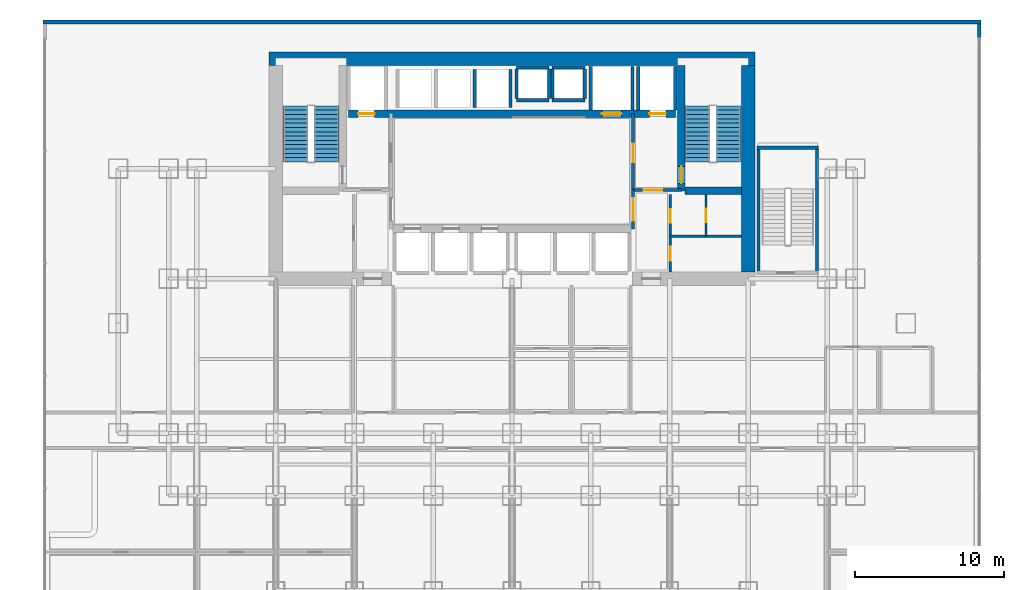
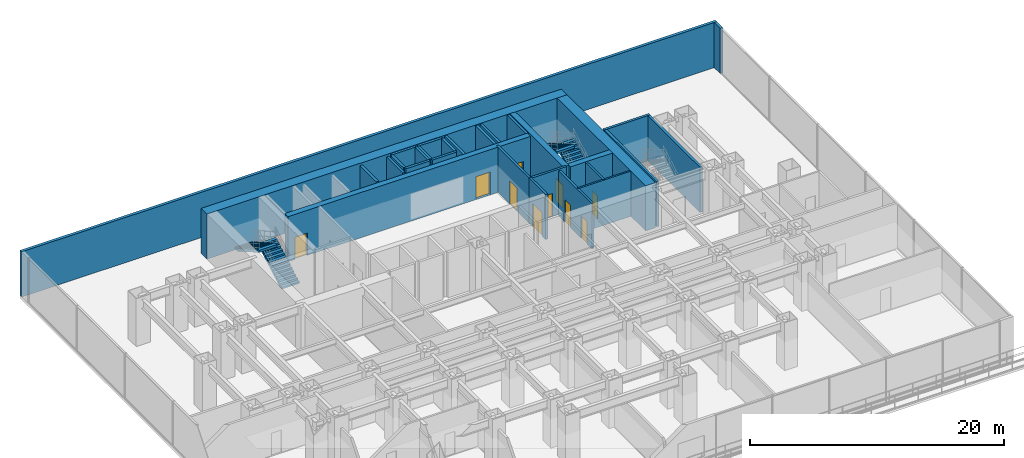
# One storey, part 10 of 13: 30 walls, 10 doors, 4 stair flights, 10 openings, 2 elements without a shape of their own.
"""IFC4 building model written with IfcOpenShell, lengths in metres."""

from ifc_helpers import new_model, si_unit, direction, frame, frame_2d, origin, place, context, subcontext, project, spatial, polyline, rectangle, outline, extrude, material, layer, layer_set, type_object, element, fill, aggregate, save


model = new_model("IFC4")

# Units and contexts
model_context = context("Model", 3, precision=1e-05, world=origin(), true_north=direction((0.0, 1.0)))
body_context = subcontext(model_context, "Body", "Model", "MODEL_VIEW")
ifc_project = project(units=[si_unit("LENGTHUNIT", "METRE"), si_unit("AREAUNIT", "SQUARE_METRE"), si_unit("VOLUMEUNIT", "CUBIC_METRE"), si_unit("PLANEANGLEUNIT", "RADIAN"), si_unit("MASSUNIT", "GRAM", prefix="KILO")], contexts=[model_context])

# Site, building, storey
site_placement = place(None, origin())
site = spatial("IfcSite", under=ifc_project, at=site_placement, CompositionType="ELEMENT")
building_placement = place(site_placement, origin())
building = spatial("IfcBuilding", under=site, at=building_placement, Name="Qianlan Lanfeng Residences", CompositionType="ELEMENT")
storey_placement = place(building_placement, frame((0.0, 0.0, 14.39990234375)))
storey = spatial("IfcBuildingStorey", under=building, at=storey_placement, Name="L03", CompositionType="ELEMENT", Elevation=14.39990234375)

# Wall, opening, door
ifc_material_1 = material(Name="Concrete C70", Category="concrete")
ifc_layer_1 = layer(ifc_material_1, 0.5)
ifc_layer_set_1 = layer_set([ifc_layer_1], Name="Concrete C70")
wall_type_1 = type_object("IfcWallType", Name="CW-RC-500", PredefinedType="SHEAR", material=ifc_layer_set_1)
wall_1_placement = place(storey_placement, frame((37.89990234375, 31.10009765625, 0.0), z_axis=(0.0, 0.0, 1.0), x_axis=(0.0, 1.0, 0.0)))
wall_1 = element("IfcWall", 1, at=wall_1_placement, inside=storey, type_object=wall_type_1, Name="L03 Core Shear Wall ST2W", PredefinedType="SHEAR", context=body_context, shape_type="SweptSolid", body=[
    extrude(rectangle(XDim=8.449951171875, YDim=0.5, at=frame_2d((4.22509765625, 0.0))), origin(), (0.0, 0.0, 1.0), 4.340087890625),
])
opening_1_placement = place(wall_1_placement, frame((0.510009765625, 0.0, 0.0)))
opening_1 = element("IfcOpeningElement", 2, at=opening_1_placement, cuts=wall_1, Name="Opening L03-D08", PredefinedType="OPENING", context=body_context, shape_type="SweptSolid", body=[
    extrude(rectangle(XDim=1.14990234375, YDim=2.199951171875, at=frame_2d((0.574951171875, 1.10009765625))), frame((0.0, 0.260009765625, 0.0), z_axis=(0.0, -1.0, 0.0), x_axis=(1.0, 0.0, 0.0)), (0.0, 0.0, 1.0), 0.52001953125),
])
ifc_material_2 = material(Name="Painted Galvanised Steel Fire Door", Category="steel")
door_type_1 = type_object("IfcDoorType", Name="DT-ST1", OperationType="NOTDEFINED", PredefinedType="DOOR", material=ifc_material_2)
door_1_placement = place(opening_1_placement, origin())
door_1 = element("IfcDoor", 3, at=door_1_placement, inside=storey, type_object=door_type_1, Name="L03 Exit Stair ST-2 Door L03-D08 (DT-ST1)", OperationType="SINGLE_SWING_RIGHT", OverallHeight=2.199951171875, OverallWidth=1.14990234375, PredefinedType="DOOR", context=body_context, shape_type="SweptSolid", body=[
    extrude(rectangle(XDim=1.14990234375, YDim=2.199951171875, at=frame_2d((0.574951171875, 1.10009765625))), frame((0.0, 0.02490234375, 0.0), z_axis=(0.0, -1.0, 0.0), x_axis=(1.0, 0.0, 0.0)), (0.0, 0.0, 1.0), 0.050048828125),
])
fill(opening_1, door_1)

# Wall
wall_2_placement = place(storey_placement, frame((38.14990234375, 31.10009765625, 0.0), z_axis=(0.0, 0.0, 1.0), x_axis=(1.0, 0.0, 0.0)))
element("IfcWall", 4, at=wall_2_placement, inside=storey, type_object=wall_type_1, Name="L03 Core Shear Wall ST2S", PredefinedType="SHEAR", context=body_context, shape_type="SweptSolid", body=[
    extrude(rectangle(XDim=3.800048828125, YDim=0.5, at=frame_2d((1.89990234375, 0.0))), origin(), (0.0, 0.0, 1.0), 4.340087890625),
])

# Wall, openings, doors
wall_3_placement = place(storey_placement, frame((15.5, 36.300048828125, 0.0), z_axis=(0.0, 0.0, 1.0), x_axis=(1.0, 0.0, 0.0)))
wall_3 = element("IfcWall", 5, at=wall_3_placement, inside=storey, type_object=wall_type_1, Name="L03 Core Shear Wall LBN", PredefinedType="SHEAR", context=body_context, shape_type="SweptSolid", body=[
    extrude(rectangle(XDim=22.0, YDim=0.5, at=frame_2d((11.0, 0.0))), origin(), (0.0, 0.0, 1.0), 4.340087890625),
])
opening_2_placement = place(wall_3_placement, frame((0.64990234375, 0.0, 0.0)))
opening_2 = element("IfcOpeningElement", 6, at=opening_2_placement, cuts=wall_3, Name="Opening L03-LD-FFL-1", PredefinedType="OPENING", context=body_context, shape_type="SweptSolid", body=[
    extrude(rectangle(XDim=1.10009765625, YDim=2.14990234375, at=frame_2d((0.550048828125, 1.074951171875))), frame((0.0, 0.260009765625, 0.0), z_axis=(0.0, -1.0, 0.0), x_axis=(1.0, 0.0, 0.0)), (0.0, 0.0, 1.0), 0.52001953125),
])
opening_3_placement = place(wall_3_placement, frame((20.25, 0.0, 0.0)))
opening_3 = element("IfcOpeningElement", 7, at=opening_3_placement, cuts=wall_3, Name="Opening L03-LD-FFL-2", PredefinedType="OPENING", context=body_context, shape_type="SweptSolid", body=[
    extrude(rectangle(XDim=1.10009765625, YDim=2.14990234375, at=frame_2d((0.550048828125, 1.074951171875))), frame((0.0, 0.260009765625, 0.0), z_axis=(0.0, -1.0, 0.0), x_axis=(1.0, 0.0, 0.0)), (0.0, 0.0, 1.0), 0.52001953125),
])
opening_4_placement = place(wall_3_placement, frame((17.050048828125, 0.0, 0.0)))
opening_4 = element("IfcOpeningElement", 8, at=opening_4_placement, cuts=wall_3, Name="Opening L03-LD-SVL-1", PredefinedType="OPENING", context=body_context, shape_type="SweptSolid", body=[
    extrude(rectangle(XDim=1.300048828125, YDim=2.199951171875, at=frame_2d((0.64990234375, 1.10009765625))), frame((0.0, 0.260009765625, 0.0), z_axis=(0.0, -1.0, 0.0), x_axis=(1.0, 0.0, 0.0)), (0.0, 0.0, 1.0), 0.52001953125),
])
ifc_material_3 = material(Name="Brushed Stainless Steel Sliding Lift Door", Category="steel")
door_type_2 = type_object("IfcDoorType", Name="LD-01", OperationType="NOTDEFINED", PredefinedType="DOOR", material=ifc_material_3)
door_2_placement = place(opening_2_placement, frame((1.10009765625, 0.0, 0.0), z_axis=(0.0, 0.0, 1.0), x_axis=(-1.0, 0.0, 0.0)))
door_2 = element("IfcDoor", 9, at=door_2_placement, inside=storey, type_object=door_type_2, Name="L03 Elevator FFL-1 Sliding Landing Door", OperationType="DOUBLE_DOOR_SLIDING", OverallHeight=2.14990234375, OverallWidth=1.10009765625, PredefinedType="DOOR", context=body_context, shape_type="SweptSolid", body=[
    extrude(rectangle(XDim=1.10009765625, YDim=2.14990234375, at=frame_2d((0.550048828125, 1.074951171875))), frame((0.0, 0.02490234375, 0.0), z_axis=(0.0, -1.0, 0.0), x_axis=(1.0, 0.0, 0.0)), (0.0, 0.0, 1.0), 0.050048828125),
])
fill(opening_2, door_2)
door_3_placement = place(opening_3_placement, frame((1.10009765625, 0.0, 0.0), z_axis=(0.0, 0.0, 1.0), x_axis=(-1.0, 0.0, 0.0)))
door_3 = element("IfcDoor", 10, at=door_3_placement, inside=storey, type_object=door_type_2, Name="L03 Elevator FFL-2 Sliding Landing Door", OperationType="DOUBLE_DOOR_SLIDING", OverallHeight=2.14990234375, OverallWidth=1.10009765625, PredefinedType="DOOR", context=body_context, shape_type="SweptSolid", body=[
    extrude(rectangle(XDim=1.10009765625, YDim=2.14990234375, at=frame_2d((0.550048828125, 1.074951171875))), frame((0.0, 0.02490234375, 0.0), z_axis=(0.0, -1.0, 0.0), x_axis=(1.0, 0.0, 0.0)), (0.0, 0.0, 1.0), 0.050048828125),
])
fill(opening_3, door_3)
door_type_3 = type_object("IfcDoorType", Name="LD-02", OperationType="NOTDEFINED", PredefinedType="DOOR", material=ifc_material_3)
door_4_placement = place(opening_4_placement, frame((1.300048828125, 0.0, 0.0), z_axis=(0.0, 0.0, 1.0), x_axis=(-1.0, 0.0, 0.0)))
door_4 = element("IfcDoor", 11, at=door_4_placement, inside=storey, type_object=door_type_3, Name="L03 Elevator SVL-1 Sliding Landing Door", OperationType="DOUBLE_DOOR_SLIDING", OverallHeight=2.199951171875, OverallWidth=1.300048828125, PredefinedType="DOOR", context=body_context, shape_type="SweptSolid", body=[
    extrude(rectangle(XDim=1.300048828125, YDim=2.199951171875, at=frame_2d((0.64990234375, 1.10009765625))), frame((0.0, 0.02490234375, 0.0), z_axis=(0.0, -1.0, 0.0), x_axis=(1.0, 0.0, 0.0)), (0.0, 0.0, 1.0), 0.050048828125),
])
fill(opening_4, door_4)

# Walls
ifc_layer_2 = layer(ifc_material_1, 0.89990234375)
ifc_layer_set_2 = layer_set([ifc_layer_2], Name="Concrete C70")
wall_type_2 = type_object("IfcWallType", Name="CW-RC-900", PredefinedType="SHEAR", material=ifc_layer_set_2)
wall_4_placement = place(storey_placement, frame((10.14990234375, 40.0, 0.0), z_axis=(0.0, 0.0, 1.0), x_axis=(1.0, 0.0, 0.0)))
element("IfcWall", 12, at=wall_4_placement, inside=storey, type_object=wall_type_2, Name="L03 Core Shear Wall N", PredefinedType="SHEAR", context=body_context, shape_type="SweptSolid", body=[
    extrude(rectangle(XDim=32.7001953125, YDim=0.89990234375, at=frame_2d((16.35009765625, 0.0))), origin(), (0.0, 0.0, 1.0), 4.340087890625),
])
wall_5_placement = place(storey_placement, frame((42.39990234375, 25.64990234375, 0.0), z_axis=(0.0, 0.0, 1.0), x_axis=(0.0, 1.0, 0.0)))
element("IfcWall", 13, at=wall_5_placement, inside=storey, type_object=wall_type_2, Name="L03 Core Shear Wall E", PredefinedType="SHEAR", context=body_context, shape_type="SweptSolid", body=[
    extrude(rectangle(XDim=13.900146484375, YDim=0.89990234375, at=frame_2d((6.9501953125, 0.0))), origin(), (0.0, 0.0, 1.0), 4.340087890625),
])
ifc_material_4 = material(Name="Concrete C42", Category="concrete")
ifc_layer_3 = layer(ifc_material_4, 0.239990234375)
ifc_layer_set_3 = layer_set([ifc_layer_3], Name="Concrete C42")
wall_type_3 = type_object("IfcWallType", Name="EW-240", PredefinedType="SOLIDWALL", material=ifc_layer_set_3)
wall_6_placement = place(storey_placement, frame((57.929931640625, 41.39990234375, 0.0), z_axis=(0.0, 0.0, 1.0), x_axis=(0.0, 1.0, 0.0)))
element("IfcWall", 14, at=wall_6_placement, inside=storey, type_object=wall_type_3, Name="L03 NE Corner Pier", PredefinedType="SOLIDWALL", context=body_context, shape_type="SweptSolid", body=[
    extrude(rectangle(XDim=0.940185546875, YDim=0.239990234375, at=frame_2d((0.47021484375, 0.0))), origin(), (0.0, 0.0, 1.0), 4.340087890625),
])
ifc_layer_4 = layer(ifc_material_4, 0.260009765625)
ifc_layer_set_4 = layer_set([ifc_layer_4], Name="Concrete C42")
wall_type_4 = type_object("IfcWallType", Name="EW-260", PredefinedType="SOLIDWALL", material=ifc_layer_set_4)
wall_7_placement = place(storey_placement, frame((58.050048828125, 42.469970703125, 0.0), z_axis=(0.0, 0.0, 1.0), x_axis=(-1.0, 0.0, 0.0)))
element("IfcWall", 15, at=wall_7_placement, inside=storey, type_object=wall_type_4, Name="L03 North Exterior Wall", PredefinedType="SOLIDWALL", context=body_context, shape_type="SweptSolid", body=[
    extrude(rectangle(XDim=63.10009765625, YDim=0.260009765625, at=frame_2d((31.550048828125, 0.0))), origin(), (0.0, 0.0, 1.0), 4.340087890625),
])
ifc_material_5 = material(Name="Acoustic Drywall Partition 150 mm")
ifc_layer_5 = layer(ifc_material_5, 0.14990234375)
ifc_layer_set_5 = layer_set([ifc_layer_5], Name="Acoustic Drywall Partition 150 mm")
wall_type_5 = type_object("IfcWallType", Name="PW-150", PredefinedType="PARTITIONING", material=ifc_layer_set_5)
wall_8_placement = place(storey_placement, frame((37.14990234375, 28.050048828125, 0.0), z_axis=(0.0, 0.0, 1.0), x_axis=(1.0, 0.0, 0.0)))
element("IfcWall", 16, at=wall_8_placement, inside=storey, type_object=wall_type_5, Name="L03 Core East H Split", PredefinedType="PARTITIONING", context=body_context, shape_type="SweptSolid", body=[
    extrude(rectangle(XDim=4.800048828125, YDim=0.14990234375, at=frame_2d((2.39990234375, 0.0))), origin(), (0.0, 0.0, 1.0), 4.340087890625),
])

# Wall, opening, door
wall_9_placement = place(storey_placement, frame((39.550048828125, 28.050048828125, 0.0), z_axis=(0.0, 0.0, 1.0), x_axis=(0.0, 1.0, 0.0)))
wall_9 = element("IfcWall", 17, at=wall_9_placement, inside=storey, type_object=wall_type_5, Name="L03 Core East V Split", PredefinedType="PARTITIONING", context=body_context, shape_type="SweptSolid", body=[
    extrude(rectangle(XDim=2.800048828125, YDim=0.14990234375, at=frame_2d((1.39990234375, 0.0))), origin(), (0.0, 0.0, 1.0), 4.340087890625),
])
opening_5_placement = place(wall_9_placement, frame((0.93994140625, 0.0, 0.0)))
opening_5 = element("IfcOpeningElement", 18, at=opening_5_placement, cuts=wall_9, Name="Opening L03-D12", PredefinedType="OPENING", context=body_context, shape_type="SweptSolid", body=[
    extrude(rectangle(XDim=0.919921875, YDim=2.14990234375, at=frame_2d((0.4599609375, 1.074951171875))), frame((0.0, 0.0849609375, 0.0), z_axis=(0.0, -1.0, 0.0), x_axis=(1.0, 0.0, 0.0)), (0.0, 0.0, 1.0), 0.169921875),
])
ifc_material_6 = material(Name="Glazed Timber Kitchen/Study Door", Category="wood")
door_type_4 = type_object("IfcDoorType", Name="DT-INT", OperationType="NOTDEFINED", PredefinedType="DOOR", material=ifc_material_6)
door_5_placement = place(opening_5_placement, origin())
door_5 = element("IfcDoor", 19, at=door_5_placement, inside=storey, type_object=door_type_4, Name="L03 Inner Supply Closet Door L03-D12 (DT-INT)", OperationType="SINGLE_SWING_RIGHT", OverallHeight=2.14990234375, OverallWidth=0.919921875, PredefinedType="DOOR", context=body_context, shape_type="SweptSolid", body=[
    extrude(rectangle(XDim=0.919921875, YDim=2.14990234375, at=frame_2d((0.4599609375, 1.074951171875))), frame((0.0, 0.02490234375, 0.0), z_axis=(0.0, -1.0, 0.0), x_axis=(1.0, 0.0, 0.0)), (0.0, 0.0, 1.0), 0.050048828125),
])
fill(opening_5, door_5)

# Wall, openings, doors
ifc_material_7 = material(Name="Double-Layer Acoustic Gypsum Stud Wall 180 mm")
ifc_layer_6 = layer(ifc_material_7, 0.179931640625)
ifc_layer_set_6 = layer_set([ifc_layer_6], Name="Double-Layer Acoustic Gypsum Stud Wall 180 mm")
wall_type_6 = type_object("IfcWallType", Name="PW-180", PredefinedType="PARTITIONING", material=ifc_layer_set_6)
wall_10_placement = place(storey_placement, frame((37.14990234375, 25.64990234375, 0.0), z_axis=(0.0, 0.0, 1.0), x_axis=(0.0, 1.0, 0.0)))
wall_10 = element("IfcWall", 20, at=wall_10_placement, inside=storey, type_object=wall_type_6, Name="L03 Core East Service Room Wall", PredefinedType="PARTITIONING", context=body_context, shape_type="SweptSolid", body=[
    extrude(rectangle(XDim=5.2001953125, YDim=0.179931640625, at=frame_2d((2.60009765625, 0.0))), origin(), (0.0, 0.0, 1.0), 4.340087890625),
])
opening_6_placement = place(wall_10_placement, frame((0.764892578125, 0.0, 0.0)))
opening_6 = element("IfcOpeningElement", 21, at=opening_6_placement, cuts=wall_10, Name="Opening L03-D10", PredefinedType="OPENING", context=body_context, shape_type="SweptSolid", body=[
    extrude(rectangle(XDim=0.919921875, YDim=2.14990234375, at=frame_2d((0.4599609375, 1.074951171875))), frame((0.0, 0.10009765625, 0.0), z_axis=(0.0, -1.0, 0.0), x_axis=(1.0, 0.0, 0.0)), (0.0, 0.0, 1.0), 0.199951171875),
])
opening_7_placement = place(wall_10_placement, frame((3.31494140625, 0.0, 0.0)))
opening_7 = element("IfcOpeningElement", 22, at=opening_7_placement, cuts=wall_10, Name="Opening L03-D11", PredefinedType="OPENING", context=body_context, shape_type="SweptSolid", body=[
    extrude(rectangle(XDim=0.919921875, YDim=2.14990234375, at=frame_2d((0.4599609375, 1.074951171875))), frame((0.0, 0.10009765625, 0.0), z_axis=(0.0, -1.0, 0.0), x_axis=(1.0, 0.0, 0.0)), (0.0, 0.0, 1.0), 0.199951171875),
])
door_6_placement = place(opening_6_placement, origin())
door_6 = element("IfcDoor", 23, at=door_6_placement, inside=storey, type_object=door_type_4, Name="L03 Refuse Room Door L03-D10 (DT-INT)", OperationType="SINGLE_SWING_LEFT", OverallHeight=2.14990234375, OverallWidth=0.919921875, PredefinedType="DOOR", context=body_context, shape_type="SweptSolid", body=[
    extrude(rectangle(XDim=0.919921875, YDim=2.14990234375, at=frame_2d((0.4599609375, 1.074951171875))), frame((0.0, 0.02490234375, 0.0), z_axis=(0.0, -1.0, 0.0), x_axis=(1.0, 0.0, 0.0)), (0.0, 0.0, 1.0), 0.050048828125),
])
fill(opening_6, door_6)
door_7_placement = place(opening_7_placement, origin())
door_7 = element("IfcDoor", 24, at=door_7_placement, inside=storey, type_object=door_type_4, Name="L03 Janitor Outer Door L03-D11 (DT-INT)", OperationType="SINGLE_SWING_LEFT", OverallHeight=2.14990234375, OverallWidth=0.919921875, PredefinedType="DOOR", context=body_context, shape_type="SweptSolid", body=[
    extrude(rectangle(XDim=0.919921875, YDim=2.14990234375, at=frame_2d((0.4599609375, 1.074951171875))), frame((0.0, 0.02490234375, 0.0), z_axis=(0.0, -1.0, 0.0), x_axis=(1.0, 0.0, 0.0)), (0.0, 0.0, 1.0), 0.050048828125),
])
fill(opening_7, door_7)

# Wall, opening, door
ifc_material_8 = material(Name="Autoclaved Aerated Concrete Blockwork 200 mm", Category="masonry")
ifc_layer_7 = layer(ifc_material_8, 0.199951171875)
ifc_layer_set_7 = layer_set([ifc_layer_7], Name="Autoclaved Aerated Concrete Blockwork 200 mm")
wall_type_7 = type_object("IfcWallType", Name="PW-200", PredefinedType="PARTITIONING", material=ifc_layer_set_7)
wall_11_placement = place(storey_placement, frame((34.64990234375, 31.14990234375, 0.0), z_axis=(0.0, 0.0, 1.0), x_axis=(1.0, 0.0, 0.0)))
wall_11 = element("IfcWall", 25, at=wall_11_placement, inside=storey, type_object=wall_type_7, Name="L03 Firefighting Lobby 2 South Wall", PredefinedType="PARTITIONING", context=body_context, shape_type="SweptSolid", body=[
    extrude(rectangle(XDim=3.25, YDim=0.199951171875, at=frame_2d((1.625, 0.0))), origin(), (0.0, 0.0, 1.0), 4.340087890625),
])
opening_8_placement = place(wall_11_placement, frame((0.72509765625, 0.0, 0.0)))
opening_8 = element("IfcOpeningElement", 26, at=opening_8_placement, cuts=wall_11, Name="Opening L03-D05", PredefinedType="OPENING", context=body_context, shape_type="SweptSolid", body=[
    extrude(rectangle(XDim=1.25, YDim=2.199951171875, at=frame_2d((0.625, 1.10009765625))), frame((0.0, 0.10986328125, 0.0), z_axis=(0.0, -1.0, 0.0), x_axis=(1.0, 0.0, 0.0)), (0.0, 0.0, 1.0), 0.219970703125),
])
door_type_5 = type_object("IfcDoorType", Name="DT-FFL", OperationType="NOTDEFINED", PredefinedType="DOOR", material=ifc_material_2)
door_8_placement = place(opening_8_placement, origin())
door_8 = element("IfcDoor", 27, at=door_8_placement, inside=storey, type_object=door_type_5, Name="L03 Firefighting Lobby 2 Entry Door L03-D05 (DT-FFL)", OperationType="SINGLE_SWING_RIGHT", OverallHeight=2.199951171875, OverallWidth=1.25, PredefinedType="DOOR", context=body_context, shape_type="SweptSolid", body=[
    extrude(rectangle(XDim=1.25, YDim=2.199951171875, at=frame_2d((0.625, 1.10009765625))), frame((0.0, 0.02490234375, 0.0), z_axis=(0.0, -1.0, 0.0), x_axis=(1.0, 0.0, 0.0)), (0.0, 0.0, 1.0), 0.050048828125),
])
fill(opening_8, door_8)

wall_12_placement = place(storey_placement, frame((34.64990234375, 31.14990234375, 0.0), z_axis=(0.0, 0.0, 1.0), x_axis=(0.0, 1.0, 0.0)))
wall_12 = element("IfcWall", 28, at=wall_12_placement, inside=storey, type_object=wall_type_7, Name="L03 Firefighting Lobby 2 West Wall", PredefinedType="PARTITIONING", context=body_context, shape_type="SweptSolid", body=[
    extrude(rectangle(XDim=5.150146484375, YDim=0.199951171875, at=frame_2d((2.5751953125, 0.0))), origin(), (0.0, 0.0, 1.0), 4.340087890625),
])
opening_9_placement = place(wall_12_placement, frame((1.875, 0.0, 0.0)))
opening_9 = element("IfcOpeningElement", 29, at=opening_9_placement, cuts=wall_12, Name="Opening L03-D06", PredefinedType="OPENING", context=body_context, shape_type="SweptSolid", body=[
    extrude(rectangle(XDim=1.25, YDim=2.199951171875, at=frame_2d((0.625, 1.10009765625))), frame((0.0, 0.10986328125, 0.0), z_axis=(0.0, -1.0, 0.0), x_axis=(1.0, 0.0, 0.0)), (0.0, 0.0, 1.0), 0.219970703125),
])
door_9_placement = place(opening_9_placement, origin())
door_9 = element("IfcDoor", 30, at=door_9_placement, inside=storey, type_object=door_type_5, Name="L03 Firefighting Lobby 2 Lift Lobby Door L03-D06 (DT-FFL)", OperationType="SINGLE_SWING_RIGHT", OverallHeight=2.199951171875, OverallWidth=1.25, PredefinedType="DOOR", context=body_context, shape_type="SweptSolid", body=[
    extrude(rectangle(XDim=1.25, YDim=2.199951171875, at=frame_2d((0.625, 1.10009765625))), frame((0.0, 0.02490234375, 0.0), z_axis=(0.0, -1.0, 0.0), x_axis=(1.0, 0.0, 0.0)), (0.0, 0.0, 1.0), 0.050048828125),
])
fill(opening_9, door_9)

wall_13_placement = place(storey_placement, frame((34.64990234375, 28.550048828125, 0.0), z_axis=(0.0, 0.0, 1.0), x_axis=(0.0, 1.0, 0.0)))
wall_13 = element("IfcWall", 31, at=wall_13_placement, inside=storey, type_object=wall_type_7, Name="L03 Lift Lobby East Connector Wall", PredefinedType="PARTITIONING", context=body_context, shape_type="SweptSolid", body=[
    extrude(rectangle(XDim=2.599853515625, YDim=0.199951171875, at=frame_2d((1.2998046875, 0.0))), origin(), (0.0, 0.0, 1.0), 4.340087890625),
])
opening_10_placement = place(wall_13_placement, frame((0.550048828125, 0.0, 0.0)))
opening_10 = element("IfcOpeningElement", 32, at=opening_10_placement, cuts=wall_13, Name="Opening L03-D15", PredefinedType="OPENING", context=body_context, shape_type="SweptSolid", body=[
    extrude(rectangle(XDim=1.5, YDim=2.25, at=frame_2d((0.75, 1.125))), frame((0.0, 0.10986328125, 0.0), z_axis=(0.0, -1.0, 0.0), x_axis=(1.0, 0.0, 0.0)), (0.0, 0.0, 1.0), 0.219970703125),
])
ifc_material_9 = material(Name="Timber Veneer Acoustic Fire Door", Category="wood")
door_type_6 = type_object("IfcDoorType", Name="DT-COR1", OperationType="NOTDEFINED", PredefinedType="DOOR", material=ifc_material_9)
door_10_placement = place(opening_10_placement, frame((1.5, 0.0, 0.0), z_axis=(0.0, 0.0, 1.0), x_axis=(-1.0, 0.0, 0.0)))
door_10 = element("IfcDoor", 33, at=door_10_placement, inside=storey, type_object=door_type_6, Name="L03 Lift Lobby East Portal Door L03-D15 (DT-COR1)", OperationType="DOUBLE_DOOR_SINGLE_SWING", OverallHeight=2.25, OverallWidth=1.5, PredefinedType="DOOR", context=body_context, shape_type="SweptSolid", body=[
    extrude(rectangle(XDim=1.5, YDim=2.25, at=frame_2d((0.75, 1.125))), frame((0.0, 0.02490234375, 0.0), z_axis=(0.0, -1.0, 0.0), x_axis=(1.0, 0.0, 0.0)), (0.0, 0.0, 1.0), 0.050048828125),
])
fill(opening_10, door_10)

# Walls
ifc_material_10 = material(Name="Concrete C49", Category="concrete")
ifc_layer_8 = layer(ifc_material_10, 0.219970703125)
ifc_layer_set_8 = layer_set([ifc_layer_8], Name="Concrete C49")
wall_type_8 = type_object("IfcWallType", Name="SHW-220", PredefinedType="SOLIDWALL", material=ifc_layer_set_8)
for number, where, z_axis, x_axis, name in (
    (34, (35.0, 36.550048828125, 0.0), (0.0, 0.0, 1.0), (0.0, 1.0, 0.0), "L03 Lift FFL-2 Shaft Wall W"),
    (35, (37.47998046875, 36.550048828125, 0.0), (0.0, 0.0, 1.0), (0.0, 1.0, 0.0), "L03 Lift FFL-2 Shaft Wall E"),
    (36, (31.800048828125, 36.550048828125, 0.0), (0.0, 0.0, 1.0), (0.0, 1.0, 0.0), "L03 Lift SVL-1 Shaft Wall W"),
    (37, (34.60009765625, 36.550048828125, 0.0), (0.0, 0.0, 1.0), (0.0, 1.0, 0.0), "L03 Lift SVL-1 Shaft Wall E"),
):
    element("IfcWall", number, at=place(storey_placement, frame(where, z_axis=z_axis, x_axis=x_axis)), inside=storey, type_object=wall_type_8, Name=name, PredefinedType="SOLIDWALL", context=body_context, shape_type="SweptSolid", body=[
        extrude(rectangle(XDim=2.929931640625, YDim=0.219970703125, at=frame_2d((1.46484375, 0.0))), origin(), (0.0, 0.0, 1.0), 4.340087890625),
    ])
for number, where, z_axis, x_axis, name in (
    (38, (24.0, 36.719970703125, 0.0), (0.0, 0.0, 1.0), (0.0, 1.0, 0.0), "L03 Lift PL-H3 Shaft Wall W"),
    (39, (26.39990234375, 36.719970703125, 0.0), (0.0, 0.0, 1.0), (0.0, 1.0, 0.0), "L03 Lift PL-H3 Shaft Wall E"),
):
    element("IfcWall", number, at=place(storey_placement, frame(where, z_axis=z_axis, x_axis=x_axis)), inside=storey, type_object=wall_type_8, Name=name, PredefinedType="SOLIDWALL", context=body_context, shape_type="SweptSolid", body=[
        extrude(rectangle(XDim=2.56005859375, YDim=0.219970703125, at=frame_2d((1.280029296875, 0.0))), origin(), (0.0, 0.0, 1.0), 4.340087890625),
    ])
for number, where, z_axis, x_axis, name in (
    (40, (26.800048828125, 37.31005859375, 0.0), (0.0, 0.0, 1.0), (0.0, 1.0, 0.0), "L03 MEP Riser MEP-R1 Shaft Wall W"),
    (41, (29.0, 37.31005859375, 0.0), (0.0, 0.0, 1.0), (0.0, 1.0, 0.0), "L03 MEP Riser MEP-R1 Shaft Wall E"),
):
    element("IfcWall", number, at=place(storey_placement, frame(where, z_axis=z_axis, x_axis=x_axis)), inside=storey, type_object=wall_type_8, Name=name, PredefinedType="SOLIDWALL", context=body_context, shape_type="SweptSolid", body=[
        extrude(rectangle(XDim=1.97998046875, YDim=0.219970703125, at=frame_2d((0.989990234375, 0.0))), origin(), (0.0, 0.0, 1.0), 4.340087890625),
    ])
for number, where, z_axis, x_axis, name in (
    (42, (26.800048828125, 39.39990234375, 0.0), (0.0, 0.0, 1.0), (1.0, 0.0, 0.0), "L03 MEP Riser MEP-R1 Shaft Wall N"),
    (43, (26.800048828125, 37.199951171875, 0.0), (0.0, 0.0, 1.0), (1.0, 0.0, 0.0), "L03 MEP Riser MEP-R1 Shaft Wall S"),
):
    element("IfcWall", number, at=place(storey_placement, frame(where, z_axis=z_axis, x_axis=x_axis)), inside=storey, type_object=wall_type_8, Name=name, PredefinedType="SOLIDWALL", context=body_context, shape_type="SweptSolid", body=[
        extrude(rectangle(XDim=2.199951171875, YDim=0.219970703125, at=frame_2d((1.10009765625, 0.0))), origin(), (0.0, 0.0, 1.0), 4.340087890625),
    ])
for number, where, z_axis, x_axis, name in (
    (44, (29.199951171875, 37.31005859375, 0.0), (0.0, 0.0, 1.0), (0.0, 1.0, 0.0), "L03 MEP Riser MEP-R2 Shaft Wall W"),
    (45, (31.39990234375, 37.31005859375, 0.0), (0.0, 0.0, 1.0), (0.0, 1.0, 0.0), "L03 MEP Riser MEP-R2 Shaft Wall E"),
):
    element("IfcWall", number, at=place(storey_placement, frame(where, z_axis=z_axis, x_axis=x_axis)), inside=storey, type_object=wall_type_8, Name=name, PredefinedType="SOLIDWALL", context=body_context, shape_type="SweptSolid", body=[
        extrude(rectangle(XDim=1.97998046875, YDim=0.219970703125, at=frame_2d((0.989990234375, 0.0))), origin(), (0.0, 0.0, 1.0), 4.340087890625),
    ])
for number, where, z_axis, x_axis, name in (
    (46, (29.199951171875, 39.39990234375, 0.0), (0.0, 0.0, 1.0), (1.0, 0.0, 0.0), "L03 MEP Riser MEP-R2 Shaft Wall N"),
    (47, (29.199951171875, 37.199951171875, 0.0), (0.0, 0.0, 1.0), (1.0, 0.0, 0.0), "L03 MEP Riser MEP-R2 Shaft Wall S"),
):
    element("IfcWall", number, at=place(storey_placement, frame(where, z_axis=z_axis, x_axis=x_axis)), inside=storey, type_object=wall_type_8, Name=name, PredefinedType="SOLIDWALL", context=body_context, shape_type="SweptSolid", body=[
        extrude(rectangle(XDim=2.199951171875, YDim=0.219970703125, at=frame_2d((1.10009765625, 0.0))), origin(), (0.0, 0.0, 1.0), 4.340087890625),
    ])
ifc_layer_9 = layer(ifc_material_10, 0.219970703125)
ifc_layer_set_9 = layer_set([ifc_layer_9], Name="Concrete C49")
wall_type_9 = type_object("IfcWallType", Name="STW-RC-220", PredefinedType="SHEAR", material=ifc_layer_set_9)
wall_14_placement = place(storey_placement, frame((42.969970703125, 34.0, 0.0), z_axis=(0.0, 0.0, 1.0), x_axis=(1.0, 0.0, 0.0)))
element("IfcWall", 48, at=wall_14_placement, inside=storey, type_object=wall_type_9, Name="L03 Stair ST-P1 Enclosure Wall N", PredefinedType="SHEAR", context=body_context, shape_type="SweptSolid", body=[
    extrude(rectangle(XDim=4.159912109375, YDim=0.219970703125, at=frame_2d((2.080078125, 0.0))), origin(), (0.0, 0.0, 1.0), 4.340087890625),
])
for number, where, z_axis, x_axis, name in (
    (49, (43.080078125, 25.7099609375, 0.0), (0.0, 0.0, 1.0), (0.0, 1.0, 0.0), "L03 Stair ST-P1 Enclosure Wall W"),
    (50, (47.02001953125, 25.7099609375, 0.0), (0.0, 0.0, 1.0), (0.0, 1.0, 0.0), "L03 Stair ST-P1 Enclosure Wall E"),
):
    element("IfcWall", number, at=place(storey_placement, frame(where, z_axis=z_axis, x_axis=x_axis)), inside=storey, type_object=wall_type_9, Name=name, PredefinedType="SHEAR", context=body_context, shape_type="SweptSolid", body=[
        extrude(rectangle(XDim=8.179931640625, YDim=0.219970703125, at=frame_2d((4.08984375, 0.0))), origin(), (0.0, 0.0, 1.0), 4.340087890625),
    ])

# Stair, stair flights
stair_type = type_object("IfcStairType", Name="STR-MAIN", PredefinedType="HALF_TURN_STAIR", material=ifc_material_4)
stair_1_placement = place(storey_placement, origin())
stair_1 = element("IfcStair", 51, at=stair_1_placement, inside=storey, type_object=stair_type, Name="L03 Exit Stair ST-1", PredefinedType="HALF_TURN_STAIR")
stair_flight_type = type_object("IfcStairFlightType", Name="FLT-1720", PredefinedType="STRAIGHT", material=ifc_material_4)
stair_flight_1_placement = place(storey_placement, frame((14.02001953125, 33.050048828125, 0.0), z_axis=(0.0, 0.0, 1.0), x_axis=(0.0, 1.0, 0.0)))
stair_flight_1 = element("IfcStairFlight", 52, at=stair_flight_1_placement, type_object=stair_flight_type, Name="ST-1 flight 1", NumberOfRisers=14, NumberOfTreads=13, PredefinedType="STRAIGHT", RiserHeight=0.164285714, TreadLength=0.29, context=body_context, shape_type="SweptSolid", body=[
    extrude(outline(polyline([(0.0, 0.0), (0.0, 0.164306640625), (0.2900390625, 0.164306640625), (0.2900390625, 0.32861328125), (0.580078125, 0.32861328125), (0.580078125, 0.492919921875), (0.8701171875, 0.492919921875), (0.8701171875, 0.6572265625), (1.159912109375, 0.6572265625), (1.159912109375, 0.821533203125), (1.449951171875, 0.821533203125), (1.449951171875, 0.985595703125), (1.739990234375, 0.985595703125), (1.739990234375, 1.14990234375), (2.030029296875, 1.14990234375), (2.030029296875, 1.314208984375), (2.320068359375, 1.314208984375), (2.320068359375, 1.478515625), (2.610107421875, 1.478515625), (2.610107421875, 1.642822265625), (2.89990234375, 1.642822265625), (2.89990234375, 1.80712890625), (3.18994140625, 1.80712890625), (3.18994140625, 1.971435546875), (3.47998046875, 1.971435546875), (3.47998046875, 2.1357421875), (3.77001953125, 2.1357421875), (3.77001953125, 2.300048828125), (3.77001953125, 1.928955078125), (0.364990234375, 0.0), (0.0, 0.0)])), frame((0.0, 0.800048828125, 0.0), z_axis=(0.0, -1.0, 0.0), x_axis=(1.0, 0.0, 0.0)), (0.0, 0.0, 1.0), 1.60009765625),
])
stair_flight_2_placement = place(storey_placement, frame((11.93994140625, 36.820068359375, 2.300048828125), z_axis=(0.0, 0.0, 1.0), x_axis=(0.0, -1.0, 0.0)))
stair_flight_2 = element("IfcStairFlight", 53, at=stair_flight_2_placement, type_object=stair_flight_type, Name="ST-1 flight 2", NumberOfRisers=14, NumberOfTreads=13, PredefinedType="STRAIGHT", RiserHeight=0.164285714, TreadLength=0.29, context=body_context, shape_type="SweptSolid", body=[
    extrude(outline(polyline([(0.0, 0.0), (0.0, 0.164306640625), (0.2900390625, 0.164306640625), (0.2900390625, 0.32861328125), (0.580078125, 0.32861328125), (0.580078125, 0.492919921875), (0.8701171875, 0.492919921875), (0.8701171875, 0.6572265625), (1.159912109375, 0.6572265625), (1.159912109375, 0.821533203125), (1.449951171875, 0.821533203125), (1.449951171875, 0.985595703125), (1.739990234375, 0.985595703125), (1.739990234375, 1.14990234375), (2.030029296875, 1.14990234375), (2.030029296875, 1.314208984375), (2.320068359375, 1.314208984375), (2.320068359375, 1.478515625), (2.610107421875, 1.478515625), (2.610107421875, 1.642822265625), (2.89990234375, 1.642822265625), (2.89990234375, 1.80712890625), (3.18994140625, 1.80712890625), (3.18994140625, 1.971435546875), (3.47998046875, 1.971435546875), (3.47998046875, 2.1357421875), (3.77001953125, 2.1357421875), (3.77001953125, 2.300048828125), (3.77001953125, 1.928955078125), (0.364990234375, 0.0), (0.0, 0.0)])), frame((0.0, 0.800048828125, 0.0), z_axis=(0.0, -1.0, 0.0), x_axis=(1.0, 0.0, 0.0)), (0.0, 0.0, 1.0), 1.60009765625),
])
aggregate(stair_1, [stair_flight_1, stair_flight_2])

stair_2_placement = place(storey_placement, origin())
stair_2 = element("IfcStair", 54, at=stair_2_placement, inside=storey, type_object=stair_type, Name="L03 Exit Stair ST-2", PredefinedType="HALF_TURN_STAIR")
stair_flight_3_placement = place(storey_placement, frame((41.06005859375, 33.050048828125, 0.0), z_axis=(0.0, 0.0, 1.0), x_axis=(0.0, 1.0, 0.0)))
stair_flight_3 = element("IfcStairFlight", 55, at=stair_flight_3_placement, type_object=stair_flight_type, Name="ST-2 flight 1", NumberOfRisers=14, NumberOfTreads=13, PredefinedType="STRAIGHT", RiserHeight=0.164285714, TreadLength=0.29, context=body_context, shape_type="SweptSolid", body=[
    extrude(outline(polyline([(0.0, 0.0), (0.0, 0.164306640625), (0.2900390625, 0.164306640625), (0.2900390625, 0.32861328125), (0.580078125, 0.32861328125), (0.580078125, 0.492919921875), (0.8701171875, 0.492919921875), (0.8701171875, 0.6572265625), (1.159912109375, 0.6572265625), (1.159912109375, 0.821533203125), (1.449951171875, 0.821533203125), (1.449951171875, 0.985595703125), (1.739990234375, 0.985595703125), (1.739990234375, 1.14990234375), (2.030029296875, 1.14990234375), (2.030029296875, 1.314208984375), (2.320068359375, 1.314208984375), (2.320068359375, 1.478515625), (2.610107421875, 1.478515625), (2.610107421875, 1.642822265625), (2.89990234375, 1.642822265625), (2.89990234375, 1.80712890625), (3.18994140625, 1.80712890625), (3.18994140625, 1.971435546875), (3.47998046875, 1.971435546875), (3.47998046875, 2.1357421875), (3.77001953125, 2.1357421875), (3.77001953125, 2.300048828125), (3.77001953125, 1.928955078125), (0.364990234375, 0.0), (0.0, 0.0)])), frame((0.0, 0.800048828125, 0.0), z_axis=(0.0, -1.0, 0.0), x_axis=(1.0, 0.0, 0.0)), (0.0, 0.0, 1.0), 1.60009765625),
])
stair_flight_4_placement = place(storey_placement, frame((38.97998046875, 36.820068359375, 2.300048828125), z_axis=(0.0, 0.0, 1.0), x_axis=(0.0, -1.0, 0.0)))
stair_flight_4 = element("IfcStairFlight", 56, at=stair_flight_4_placement, type_object=stair_flight_type, Name="ST-2 flight 2", NumberOfRisers=14, NumberOfTreads=13, PredefinedType="STRAIGHT", RiserHeight=0.164285714, TreadLength=0.29, context=body_context, shape_type="SweptSolid", body=[
    extrude(outline(polyline([(0.0, 0.0), (0.0, 0.164306640625), (0.2900390625, 0.164306640625), (0.2900390625, 0.32861328125), (0.580078125, 0.32861328125), (0.580078125, 0.492919921875), (0.8701171875, 0.492919921875), (0.8701171875, 0.6572265625), (1.159912109375, 0.6572265625), (1.159912109375, 0.821533203125), (1.449951171875, 0.821533203125), (1.449951171875, 0.985595703125), (1.739990234375, 0.985595703125), (1.739990234375, 1.14990234375), (2.030029296875, 1.14990234375), (2.030029296875, 1.314208984375), (2.320068359375, 1.314208984375), (2.320068359375, 1.478515625), (2.610107421875, 1.478515625), (2.610107421875, 1.642822265625), (2.89990234375, 1.642822265625), (2.89990234375, 1.80712890625), (3.18994140625, 1.80712890625), (3.18994140625, 1.971435546875), (3.47998046875, 1.971435546875), (3.47998046875, 2.1357421875), (3.77001953125, 2.1357421875), (3.77001953125, 2.300048828125), (3.77001953125, 1.928955078125), (0.364990234375, 0.0), (0.0, 0.0)])), frame((0.0, 0.800048828125, 0.0), z_axis=(0.0, -1.0, 0.0), x_axis=(1.0, 0.0, 0.0)), (0.0, 0.0, 1.0), 1.60009765625),
])
aggregate(stair_2, [stair_flight_3, stair_flight_4])

save(model, "model.ifc")
